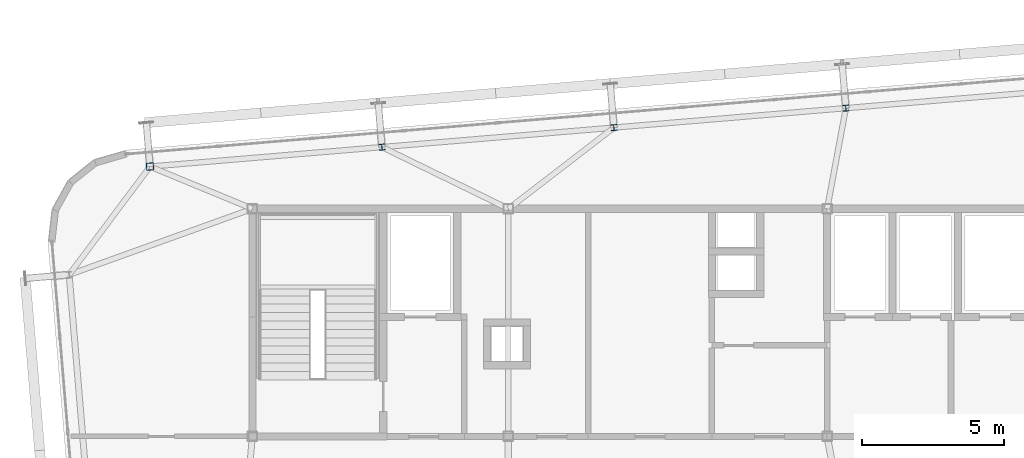
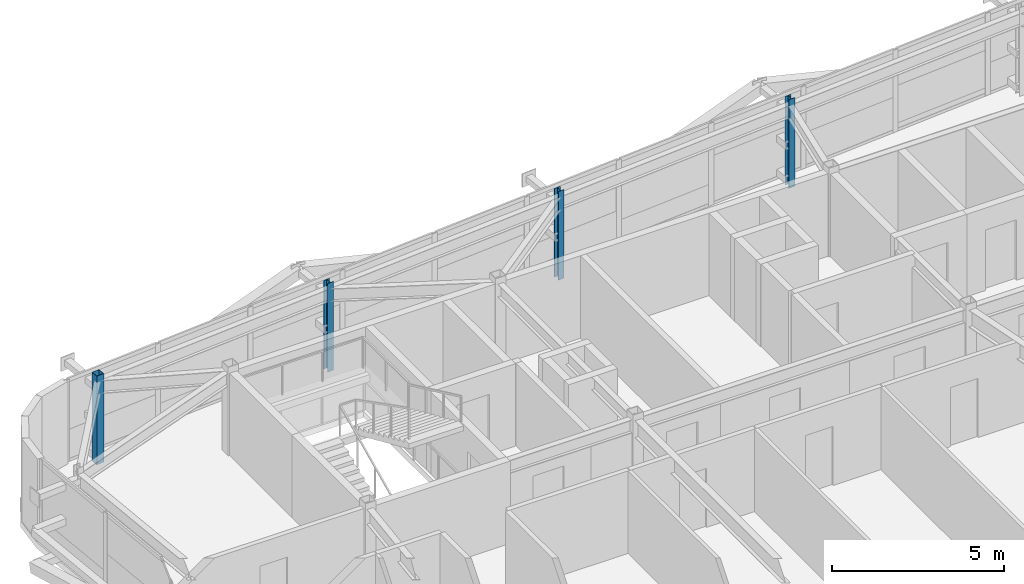
# One storey, part 5 of 44: 4 columns.
"""IFC4 building model written with IfcOpenShell, lengths in metres."""

from ifc_helpers import new_model, si_unit, direction, frame, origin, origin_2d, place, context, subcontext, project, spatial, hollow_rectangle, i_section, extrude, source, transform, mapped, material, material_profile, profile_set, type_object, element, save


model = new_model("IFC4")

# Units and contexts
model_context = context("Model", 3, precision=1e-05, world=origin(), true_north=direction((0.0, 1.0)))
body_context = subcontext(model_context, "Body", "Model", "MODEL_VIEW")
ifc_project = project(units=[si_unit("LENGTHUNIT", "METRE"), si_unit("AREAUNIT", "SQUARE_METRE"), si_unit("VOLUMEUNIT", "CUBIC_METRE"), si_unit("PLANEANGLEUNIT", "RADIAN"), si_unit("MASSUNIT", "GRAM", prefix="KILO")], contexts=[model_context])

# Site, building, storey
site_placement = place(None, origin())
site = spatial("IfcSite", under=ifc_project, at=site_placement, CompositionType="ELEMENT")
building_placement = place(site_placement, origin())
building = spatial("IfcBuilding", under=site, at=building_placement, Name="Taldren Reach Tower", CompositionType="ELEMENT")
storey_placement = place(building_placement, frame((0.0, 0.0, 191.449951171875)))
storey = spatial("IfcBuildingStorey", under=building, at=storey_placement, Name="L58", CompositionType="ELEMENT", Elevation=191.449951171875)

# Columns
ifc_material_1 = material(Name="Steel Gr 350 (C350L0)", Category="steel")
ifc_material_profile_1 = material_profile(ifc_material_1, hollow_rectangle(XDim=0.25, YDim=0.25, WallThickness=0.010009765625, at=origin_2d()), Name="250x250x10.0SHS")
ifc_profile_set_1 = profile_set([ifc_material_profile_1], Name="Steel Gr 350 (C350L0)")
column_type_1 = type_object("IfcColumnType", Name="COL-SHS250", PredefinedType="COLUMN", material=ifc_profile_set_1)
shared_shape_1 = source(origin(), body_context, "Body", "SweptSolid", [
    extrude(hollow_rectangle(XDim=0.25, YDim=0.25, WallThickness=0.010009765625, at=origin_2d()), origin(), (0.0, 0.0, 1.0), 3.150146484375),
])
column_placement = place(storey_placement, frame((15.40380859375, 33.483642578125, 0.0), z_axis=(0.0, 0.0, 1.0), x_axis=(0.99649285925, 0.083677843332, 0.0)))
element("IfcColumn", 1, at=column_placement, inside=storey, type_object=column_type_1, Name="Block B4 perimeter column N1 L58", PredefinedType="COLUMN", context=body_context, shape_type="MappedRepresentation", body=[
    mapped(shared_shape_1, transform((0.0, 0.0, 0.0), scale=1.0)),
])
ifc_material_2 = material(Name="Steel Gr 350 (350PLUS)", Category="steel")
ifc_material_profile_2 = material_profile(ifc_material_2, i_section(OverallWidth=0.205078125, OverallDepth=0.2099609375, WebThickness=0.00927734375, FlangeThickness=0.01416015625, at=origin_2d()), Name="200UC59.5")
ifc_profile_set_2 = profile_set([ifc_material_profile_2], Name="Steel Gr 350 (350PLUS)")
column_type_2 = type_object("IfcColumnType", Name="COL-UC200", PredefinedType="COLUMN", material=ifc_profile_set_2)
shared_shape_2 = source(origin(), body_context, "Body", "SweptSolid", [
    extrude(i_section(OverallWidth=0.205078125, OverallDepth=0.2099609375, WebThickness=0.00927734375, FlangeThickness=0.01416015625, at=origin_2d()), origin(), (0.0, 0.0, 1.0), 3.150146484375),
])
for number, where, z_axis, x_axis, name in (
    (2, (23.55517578125, 34.16796875, 0.0), (0.0, 0.0, 1.0), (0.99649285925, 0.083677843332, 0.0), "Block B4 perimeter column N2 L58"),
    (3, (31.706298828125, 34.8525390625, 0.0), (0.0, 0.0, 1.0), (0.99649285925, 0.083677843332, 0.0), "Block B4 perimeter column N3 L58"),
    (4, (39.857666015625, 35.537109375, 0.0), (0.0, 0.0, 1.0), (0.99649285925, 0.083677843332, 0.0), "Block B4 perimeter column N4 L58"),
):
    element("IfcColumn", number, at=place(storey_placement, frame(where, z_axis=z_axis, x_axis=x_axis)), inside=storey, type_object=column_type_2, Name=name, PredefinedType="COLUMN", context=body_context, shape_type="MappedRepresentation", body=[
        mapped(shared_shape_2, transform((0.0, 0.0, 0.0), scale=1.0)),
    ])

save(model, "model.ifc")
